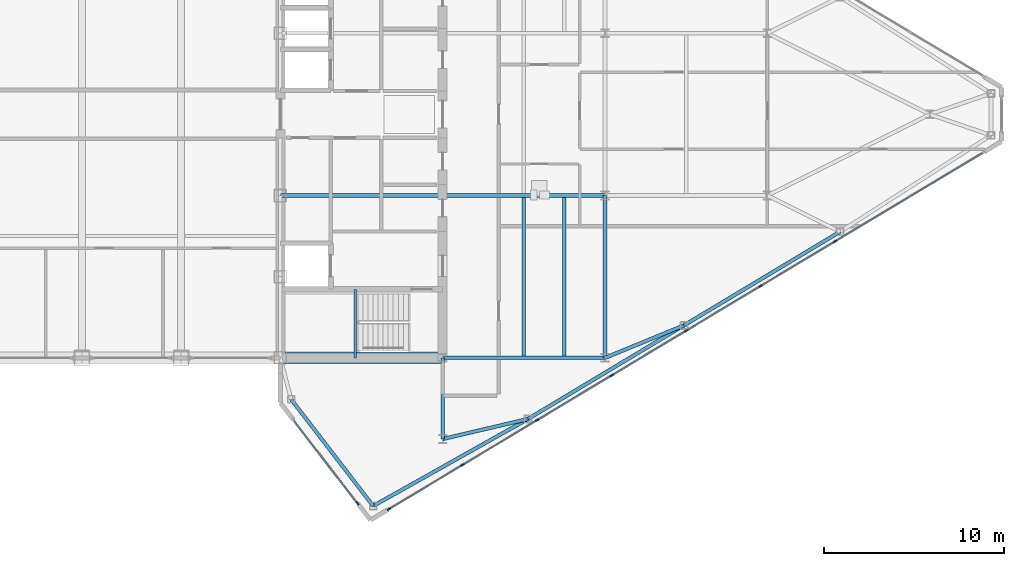
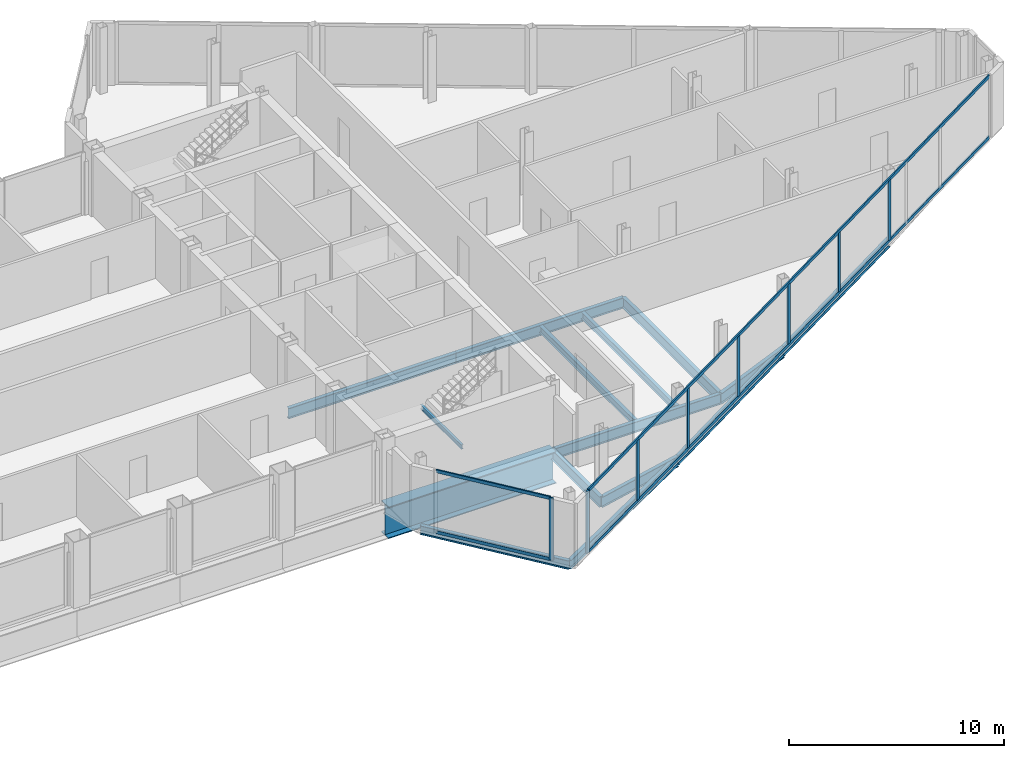
# One storey, part 14 of 29: 15 beams, 12 members, 2 elements without a shape of their own.
"""IFC4 building model written with IfcOpenShell, lengths in metres."""

from ifc_helpers import new_model, si_unit, direction, frame, origin, origin_2d, place, context, subcontext, project, spatial, rectangle, i_section, extrude, source, transform, mapped, material, layer, layer_set, material_profile, profile_set, type_object, type_shapes, element, aggregate, save


model = new_model("IFC4")

# Units and contexts
model_context = context("Model", 3, precision=1e-05, world=origin(), true_north=direction((0.0, 1.0)))
body_context = subcontext(model_context, "Body", "Model", "MODEL_VIEW")
ifc_project = project(units=[si_unit("LENGTHUNIT", "METRE"), si_unit("AREAUNIT", "SQUARE_METRE"), si_unit("VOLUMEUNIT", "CUBIC_METRE"), si_unit("PLANEANGLEUNIT", "RADIAN"), si_unit("MASSUNIT", "GRAM", prefix="KILO")], contexts=[model_context])

# Site, building, storey
site_placement = place(None, origin())
site = spatial("IfcSite", under=ifc_project, at=site_placement, CompositionType="ELEMENT")
building_placement = place(site_placement, origin())
building = spatial("IfcBuilding", under=site, at=building_placement, Name="Seokmaru Belvedere", CompositionType="ELEMENT")
storey_placement = place(building_placement, frame((0.0, 0.0, 239.39990234375)))
storey = spatial("IfcBuildingStorey", under=building, at=storey_placement, Name="L63", CompositionType="ELEMENT", Elevation=239.39990234375)

# Beams
ifc_material_1 = material(Name="Steel SM355 (355 MPa)", Category="steel")
ifc_material_profile_1 = material_profile(ifc_material_1, i_section(OverallWidth=0.199951171875, OverallDepth=0.60009765625, WebThickness=0.010986328125, FlangeThickness=0.01708984375, at=origin_2d()), Name="H-600x200x11x17")
ifc_profile_set_1 = profile_set([ifc_material_profile_1], Name="Steel SM355 (355 MPa)")
beam_type_1 = type_object("IfcBeamType", Name="Primary Floor Girder H-600", PredefinedType="BEAM", material=ifc_profile_set_1)
shared_shape_1 = source(origin(), body_context, "Body", "SweptSolid", [
    extrude(i_section(OverallWidth=0.199951171875, OverallDepth=0.60009765625, WebThickness=0.010986328125, FlangeThickness=0.01708984375, at=origin_2d()), origin(), (0.0, 0.0, 1.0), 9.0),
])
for number, where, z_axis, x_axis, name in (
    (1, (45.5, -13.5, -0.52001953125), (0.0, 1.0, 0.0), (-1.0, 0.0, 0.0), "L63 E Interior Grid Girder 1"),
    (2, (36.5, -13.5, -0.52001953125), (1.0, 0.0, 0.0), (0.0, 1.0, 0.0), "L63 E Wing Primary Girder 1"),
    (3, (27.5, -4.5, -0.52001953125), (1.0, 0.0, 0.0), (0.0, 1.0, 0.0), "L63 E Core Tie Girder 2"),
    (4, (36.5, -4.5, -0.52001953125), (1.0, 0.0, 0.0), (0.0, 1.0, 0.0), "L63 E Wing Primary Girder 2"),
):
    element("IfcBeam", number, at=place(storey_placement, frame(where, z_axis=z_axis, x_axis=x_axis)), inside=storey, type_object=beam_type_1, Name=name, PredefinedType="BEAM", context=body_context, shape_type="MappedRepresentation", body=[
        mapped(shared_shape_1, transform((0.0, 0.0, 0.0), scale=1.0)),
    ])
ifc_material_profile_2 = material_profile(ifc_material_1, i_section(OverallWidth=0.18505859375, OverallDepth=0.389892578125, WebThickness=0.008056640625, FlangeThickness=0.011962890625, at=origin_2d()), Name="H-390x185x8x12")
ifc_profile_set_2 = profile_set([ifc_material_profile_2], Name="Steel SM355 (355 MPa)")
beam_type_2 = type_object("IfcBeamType", Name="Secondary Floor Joist H-350", PredefinedType="JOIST", material=ifc_profile_set_2)
shared_shape_2 = source(origin(), body_context, "Body", "SweptSolid", [
    extrude(i_section(OverallWidth=0.18505859375, OverallDepth=0.389892578125, WebThickness=0.008056640625, FlangeThickness=0.011962890625, at=origin_2d()), origin(), (0.0, 0.0, 1.0), 8.7900390625),
])
type_shapes(beam_type_2, [shared_shape_2])
for number, where, z_axis, x_axis, name in (
    (5, (43.25, -13.39501953125, -0.414794921875), (0.0, 1.0, 0.0), (-1.0, 0.0, 0.0), "L63 E Wing Inner Secondary Joist 1"),
    (6, (41.0, -13.39501953125, -0.414794921875), (0.0, 1.0, 0.0), (-1.0, 0.0, 0.0), "L63 E Secondary Floor Joist 1"),
):
    element("IfcBeam", number, at=place(storey_placement, frame(where, z_axis=z_axis, x_axis=x_axis)), inside=storey, type_object=beam_type_2, Name=name, PredefinedType="JOIST", context=body_context, shape_type="MappedRepresentation", body=[
        mapped(shared_shape_2, transform((0.0, 0.0, 0.0), scale=1.0)),
    ])
shared_shape_3 = source(origin(), body_context, "Body", "SweptSolid", [
    extrude(i_section(OverallWidth=0.199951171875, OverallDepth=0.60009765625, WebThickness=0.010986328125, FlangeThickness=0.01708984375, at=origin_2d()), origin(), (0.0, 0.0, 1.0), 4.5),
])
beam_1_placement = place(storey_placement, frame((36.5, -18.0, -0.52001953125), z_axis=(0.0, 1.0, 0.0), x_axis=(-1.0, 0.0, 0.0)))
element("IfcBeam", 7, at=beam_1_placement, inside=storey, type_object=beam_type_1, Name="L63 E Core Shoulder Girder S", PredefinedType="BEAM", context=body_context, shape_type="MappedRepresentation", body=[
    mapped(shared_shape_3, transform((0.0, 0.0, 0.0), scale=1.0)),
])
ifc_material_profile_3 = material_profile(ifc_material_1, i_section(OverallWidth=0.199951171875, OverallDepth=0.5, WebThickness=0.010009765625, FlangeThickness=0.01611328125, at=origin_2d()), Name="H-500x200x10x16")
ifc_profile_set_3 = profile_set([ifc_material_profile_3], Name="Steel SM355 (355 MPa)")
beam_type_3 = type_object("IfcBeamType", Name="Perimeter Spandrel Beam H-500", PredefinedType="SPANDREL", material=ifc_profile_set_3)
shared_shape_4 = source(origin(), body_context, "Body", "SweptSolid", [
    extrude(i_section(OverallWidth=0.199951171875, OverallDepth=0.5, WebThickness=0.010009765625, FlangeThickness=0.01611328125, at=origin_2d()), origin(), (0.0, 0.0, 1.0), 9.842041015625),
])
beam_2_placement = place(storey_placement, frame((32.649658203125, -21.71044921875, -0.469970703125), z_axis=(0.871782151818, 0.489893743349, 0.0), x_axis=(-0.489893743349, 0.871782151818, 0.0)))
element("IfcBeam", 8, at=beam_2_placement, inside=storey, type_object=beam_type_3, Name="L63 E Faceted Flank Spandrel S-1", PredefinedType="SPANDREL", context=body_context, shape_type="MappedRepresentation", body=[
    mapped(shared_shape_4, transform((0.0, 0.0, 0.0), scale=1.0)),
])
shared_shape_5 = source(origin(), body_context, "Body", "SweptSolid", [
    extrude(i_section(OverallWidth=0.199951171875, OverallDepth=0.5, WebThickness=0.010009765625, FlangeThickness=0.01611328125, at=origin_2d()), origin(), (0.0, 0.0, 1.0), 10.087646484375),
])
for number, where, z_axis, x_axis, name in (
    (9, (41.229736328125, -16.888916015625, -0.469970703125), (0.857499332045, 0.514485078056, 0.0), (-0.514485078056, 0.857499332045, 0.0), "L63 E Faceted Flank Spandrel S-2"),
    (10, (49.8798828125, -11.698974609375, -0.469970703125), (0.857488654804, 0.514502873542, 0.0), (-0.514502873542, 0.857488654804, 0.0), "L63 E Faceted Flank Spandrel S-3"),
):
    element("IfcBeam", number, at=place(storey_placement, frame(where, z_axis=z_axis, x_axis=x_axis)), inside=storey, type_object=beam_type_3, Name=name, PredefinedType="SPANDREL", context=body_context, shape_type="MappedRepresentation", body=[
        mapped(shared_shape_5, transform((0.0, 0.0, 0.0), scale=1.0)),
    ])
shared_shape_6 = source(origin(), body_context, "Body", "SweptSolid", [
    extrude(i_section(OverallWidth=0.199951171875, OverallDepth=0.5, WebThickness=0.010009765625, FlangeThickness=0.01611328125, at=origin_2d()), origin(), (0.0, 0.0, 1.0), 7.4619140625),
])
type_shapes(beam_type_3, [shared_shape_4, shared_shape_5, shared_shape_6])
beam_3_placement = place(storey_placement, frame((32.649658203125, -21.71044921875, -0.469970703125), z_axis=(-0.609702854945, 0.792630070507, 0.0), x_axis=(-0.792630070507, -0.609702854945, 0.0)))
element("IfcBeam", 11, at=beam_3_placement, inside=storey, type_object=beam_type_3, Name="L63 E Shoulder Chamfer Spandrel S", PredefinedType="SPANDREL", context=body_context, shape_type="MappedRepresentation", body=[
    mapped(shared_shape_6, transform((0.0, 0.0, 0.0), scale=1.0)),
])
shared_shape_7 = source(origin(), body_context, "Body", "SweptSolid", [
    extrude(i_section(OverallWidth=0.199951171875, OverallDepth=0.60009765625, WebThickness=0.010986328125, FlangeThickness=0.01708984375, at=origin_2d()), origin(), (0.0, 0.0, 1.0), 4.8583984375),
])
beam_4_placement = place(storey_placement, frame((41.229736328125, -16.888916015625, -0.52001953125), z_axis=(-0.97349948295, -0.228689214211, 0.0), x_axis=(0.228689214211, -0.97349948295, 0.0)))
element("IfcBeam", 12, at=beam_4_placement, inside=storey, type_object=beam_type_1, Name="L63 E Flank Radial Floor Girder S-1", PredefinedType="BEAM", context=body_context, shape_type="MappedRepresentation", body=[
    mapped(shared_shape_7, transform((0.0, 0.0, 0.0), scale=1.0)),
])
shared_shape_8 = source(origin(), body_context, "Body", "SweptSolid", [
    extrude(i_section(OverallWidth=0.199951171875, OverallDepth=0.60009765625, WebThickness=0.010986328125, FlangeThickness=0.01708984375, at=origin_2d()), origin(), (0.0, 0.0, 1.0), 4.73583984375),
])
type_shapes(beam_type_1, [shared_shape_1, shared_shape_3, shared_shape_7, shared_shape_8])
beam_5_placement = place(storey_placement, frame((49.8798828125, -11.698974609375, -0.52001953125), z_axis=(-0.924860562953, -0.380306375301, 0.0), x_axis=(0.380306375301, -0.924860562953, 0.0)))
element("IfcBeam", 13, at=beam_5_placement, inside=storey, type_object=beam_type_1, Name="L63 E Flank Radial Floor Girder S-2", PredefinedType="BEAM", context=body_context, shape_type="MappedRepresentation", body=[
    mapped(shared_shape_8, transform((0.0, 0.0, 0.0), scale=1.0)),
])
ifc_material_2 = material(Name="Steel HSA650 (650 MPa)", Category="steel")
ifc_material_profile_4 = material_profile(ifc_material_2, i_section(OverallWidth=0.64990234375, OverallDepth=1.800048828125, WebThickness=0.031982421875, FlangeThickness=0.054931640625, at=origin_2d()), Name="BH-1800x650x32x55")
ifc_profile_set_4 = profile_set([ifc_material_profile_4], Name="Steel HSA650 (650 MPa)")
beam_type_4 = type_object("IfcBeamType", Name="Sky-Gate Upper Bridge Chord Girder BH-1800", PredefinedType="BEAM", material=ifc_profile_set_4)
shared_shape_9 = source(origin(), body_context, "Body", "SweptSolid", [
    extrude(i_section(OverallWidth=0.64990234375, OverallDepth=1.800048828125, WebThickness=0.031982421875, FlangeThickness=0.054931640625, at=origin_2d()), origin(), (0.0, 0.0, 1.0), 9.0),
])
type_shapes(beam_type_4, [shared_shape_9])
beam_6_placement = place(storey_placement, frame((27.5, -13.5, -1.119873046875), z_axis=(1.0, 0.0, 0.0), x_axis=(0.0, 1.0, 0.0)))
element("IfcBeam", 14, at=beam_6_placement, inside=storey, type_object=beam_type_4, Name="L63 Sky-Gate Transfer Truss Chord S-12", PredefinedType="BEAM", context=body_context, shape_type="MappedRepresentation", body=[
    mapped(shared_shape_9, transform((0.0, 0.0, 0.0), scale=1.0)),
])

# Curtain wall, members
ifc_material_3 = material(Name="Bronze Triple Insulating Glass", Category="glass")
ifc_layer = layer(ifc_material_3, 0.219970703125)
ifc_layer_set = layer_set([ifc_layer], Name="Bronze Triple Insulating Glass")
curtain_wall_type = type_object("IfcCurtainWallType", Name="Sky-Gate Bridge Panorama Curtain Wall System CW-6", PredefinedType="NOTDEFINED", material=ifc_layer_set)
curtain_wall_1_placement = place(storey_placement, origin())
curtain_wall_1 = element("IfcCurtainWall", 15, at=curtain_wall_1_placement, inside=storey, type_object=curtain_wall_type, Name="L63 Curtain Wall EF6", PredefinedType="NOTDEFINED")
ifc_material_4 = material(Name="Anodised Bronze Aluminium", Category="aluminium")
ifc_material_profile_5 = material_profile(ifc_material_4, rectangle(XDim=0.074951171875, YDim=0.179931640625, at=origin_2d()), Name="CW-T-75x180")
ifc_profile_set_5 = profile_set([ifc_material_profile_5], Name="Anodised Bronze Aluminium")
member_type_1 = type_object("IfcMemberType", Name="Bronze Unitised Transom 75x180", PredefinedType="USERDEFINED", material=ifc_profile_set_5)
shared_shape_10 = source(origin(), body_context, "Body", "SweptSolid", [
    extrude(rectangle(XDim=0.074951171875, YDim=0.179931640625, at=origin_2d()), origin(), (0.0, 0.0, 1.0), 5.74072265625),
])
member_1_placement = place(storey_placement, frame((28.25, -16.974853515625, 0.03759765625), z_axis=(0.609686097287, -0.792642960465, 0.0), x_axis=(0.792642960465, 0.609686097287, 0.0)))
member_1 = element("IfcMember", 16, at=member_1_placement, type_object=member_type_1, Name="CW:L63:EF6 Continuous Transom 1", ObjectType="TRANSOM", PredefinedType="USERDEFINED", context=body_context, shape_type="MappedRepresentation", body=[
    mapped(shared_shape_10, transform((0.0, 0.0, 0.0), scale=1.0)),
])
member_2_placement = place(storey_placement, frame((28.25, -16.974853515625, 3.49267578125), z_axis=(0.609686097287, -0.792642960465, 0.0), x_axis=(0.792642960465, 0.609686097287, 0.0)))
member_2 = element("IfcMember", 17, at=member_2_placement, type_object=member_type_1, Name="CW:L63:EF6 Continuous Transom 2", ObjectType="TRANSOM", PredefinedType="USERDEFINED", context=body_context, shape_type="MappedRepresentation", body=[
    mapped(shared_shape_10, transform((0.0, 0.0, 0.0), scale=1.0)),
])

curtain_wall_2_placement = place(storey_placement, origin())
curtain_wall_2 = element("IfcCurtainWall", 18, at=curtain_wall_2_placement, inside=storey, type_object=curtain_wall_type, Name="L63 Curtain Wall EF1", PredefinedType="NOTDEFINED")
shared_shape_11 = source(origin(), body_context, "Body", "SweptSolid", [
    extrude(rectangle(XDim=0.074951171875, YDim=0.179931640625, at=origin_2d()), origin(), (0.0, 0.0, 1.0), 38.356689453125),
])
type_shapes(member_type_1, [shared_shape_10, shared_shape_11])
member_3_placement = place(storey_placement, frame((33.5546875, -21.8671875, 0.03759765625), z_axis=(0.857492925713, 0.514495755428, 0.0), x_axis=(-0.514495755428, 0.857492925713, 0.0)))
member_3 = element("IfcMember", 19, at=member_3_placement, type_object=member_type_1, Name="CW:L63:EF1 Continuous Transom 1", ObjectType="TRANSOM", PredefinedType="USERDEFINED", context=body_context, shape_type="MappedRepresentation", body=[
    mapped(shared_shape_11, transform((0.0, 0.0, 0.0), scale=1.0)),
])
member_4_placement = place(storey_placement, frame((33.5546875, -21.8671875, 3.49267578125), z_axis=(0.857492925713, 0.514495755428, 0.0), x_axis=(-0.514495755428, 0.857492925713, 0.0)))
member_4 = element("IfcMember", 20, at=member_4_placement, type_object=member_type_1, Name="CW:L63:EF1 Continuous Transom 2", ObjectType="TRANSOM", PredefinedType="USERDEFINED", context=body_context, shape_type="MappedRepresentation", body=[
    mapped(shared_shape_11, transform((0.0, 0.0, 0.0), scale=1.0)),
])
ifc_material_profile_6 = material_profile(ifc_material_4, rectangle(XDim=0.080078125, YDim=0.219970703125, at=origin_2d()), Name="CW-M-80x220")
ifc_profile_set_6 = profile_set([ifc_material_profile_6], Name="Anodised Bronze Aluminium")
member_type_2 = type_object("IfcMemberType", Name="Bronze Unitised Mullion 80x220", PredefinedType="MULLION", material=ifc_profile_set_6)
shared_shape_12 = source(origin(), body_context, "Body", "SweptSolid", [
    extrude(rectangle(XDim=0.080078125, YDim=0.219970703125, at=origin_2d()), origin(), (0.0, 0.0, 1.0), 3.530029296875),
])
member_5_placement = place(storey_placement, frame((33.5205078125, -21.8876953125, 0.0), z_axis=(0.0, 0.0, 1.0), x_axis=(-0.514494909364, 0.85749343335, 0.0)))
member_5 = element("IfcMember", 21, at=member_5_placement, type_object=member_type_2, Name="CW:L63:EF1 Mullion 1", PredefinedType="MULLION", context=body_context, shape_type="MappedRepresentation", body=[
    mapped(shared_shape_12, transform((0.0, 0.0, 0.0), scale=1.0)),
])

# Member
member_6_placement = place(storey_placement, frame((31.7744140625, -21.556884765625, 0.0), z_axis=(0.0, 0.0, 1.0), x_axis=(0.792631353244, 0.609701187349, 0.0)))
member_6 = element("IfcMember", 22, at=member_6_placement, type_object=member_type_2, Name="CW:L63:EF6 Mullion 2", PredefinedType="MULLION", context=body_context, shape_type="MappedRepresentation", body=[
    mapped(shared_shape_12, transform((0.0, 0.0, 0.0), scale=1.0)),
])

aggregate(curtain_wall_1, [member_6, member_1, member_2])

shared_shape_13 = source(origin(), body_context, "Body", "SweptSolid", [
    extrude(rectangle(XDim=0.080078125, YDim=0.219970703125, at=origin_2d()), origin(), (0.0, 0.0, 1.0), 3.3798828125),
])
type_shapes(member_type_2, [shared_shape_12, shared_shape_13])
member_7_placement = place(storey_placement, frame((37.614501953125, -19.43115234375, 0.0751953125), z_axis=(0.0, 0.0, 1.0), x_axis=(-0.514494909364, 0.85749343335, 0.0)))
member_7 = element("IfcMember", 23, at=member_7_placement, type_object=member_type_2, Name="CW:L63:EF1 Mullion 2", PredefinedType="MULLION", context=body_context, shape_type="MappedRepresentation", body=[
    mapped(shared_shape_13, transform((0.0, 0.0, 0.0), scale=1.0)),
])

member_8_placement = place(storey_placement, frame((41.7431640625, -16.9541015625, 0.0751953125), z_axis=(0.0, 0.0, 1.0), x_axis=(-0.514494909364, 0.85749343335, 0.0)))
member_8 = element("IfcMember", 24, at=member_8_placement, type_object=member_type_2, Name="CW:L63:EF1 Mullion 3", PredefinedType="MULLION", context=body_context, shape_type="MappedRepresentation", body=[
    mapped(shared_shape_13, transform((0.0, 0.0, 0.0), scale=1.0)),
])

member_9_placement = place(storey_placement, frame((45.87158203125, -14.47705078125, 0.0751953125), z_axis=(0.0, 0.0, 1.0), x_axis=(-0.514494909364, 0.85749343335, 0.0)))
member_9 = element("IfcMember", 25, at=member_9_placement, type_object=member_type_2, Name="CW:L63:EF1 Mullion 4", PredefinedType="MULLION", context=body_context, shape_type="MappedRepresentation", body=[
    mapped(shared_shape_13, transform((0.0, 0.0, 0.0), scale=1.0)),
])

member_10_placement = place(storey_placement, frame((50.0, -12.0, 0.0751953125), z_axis=(0.0, 0.0, 1.0), x_axis=(-0.514494909364, 0.85749343335, 0.0)))
member_10 = element("IfcMember", 26, at=member_10_placement, type_object=member_type_2, Name="CW:L63:EF1 Mullion 5", PredefinedType="MULLION", context=body_context, shape_type="MappedRepresentation", body=[
    mapped(shared_shape_13, transform((0.0, 0.0, 0.0), scale=1.0)),
])

member_11_placement = place(storey_placement, frame((54.12841796875, -9.52294921875, 0.0751953125), z_axis=(0.0, 0.0, 1.0), x_axis=(-0.514494909364, 0.85749343335, 0.0)))
member_11 = element("IfcMember", 27, at=member_11_placement, type_object=member_type_2, Name="CW:L63:EF1 Mullion 6", PredefinedType="MULLION", context=body_context, shape_type="MappedRepresentation", body=[
    mapped(shared_shape_13, transform((0.0, 0.0, 0.0), scale=1.0)),
])

member_12_placement = place(storey_placement, frame((58.257080078125, -7.0458984375, 0.0751953125), z_axis=(0.0, 0.0, 1.0), x_axis=(-0.514494909364, 0.85749343335, 0.0)))
member_12 = element("IfcMember", 28, at=member_12_placement, type_object=member_type_2, Name="CW:L63:EF1 Mullion 7", PredefinedType="MULLION", context=body_context, shape_type="MappedRepresentation", body=[
    mapped(shared_shape_13, transform((0.0, 0.0, 0.0), scale=1.0)),
])

aggregate(curtain_wall_2, [member_5, member_7, member_8, member_9, member_10, member_11, member_12, member_3, member_4])

# Beam
ifc_material_profile_7 = material_profile(ifc_material_1, i_section(OverallWidth=0.125, OverallDepth=0.25, WebThickness=0.006103515625, FlangeThickness=0.009033203125, at=origin_2d()), Name="H-250x125x6x9")
ifc_profile_set_7 = profile_set([ifc_material_profile_7], Name="Steel SM355 (355 MPa)")
beam_type_5 = type_object("IfcBeamType", Name="Stair Mid-Landing Support Beam H-250", PredefinedType="JOIST", material=ifc_profile_set_7)
shared_shape_14 = source(origin(), body_context, "Body", "SweptSolid", [
    extrude(i_section(OverallWidth=0.125, OverallDepth=0.25, WebThickness=0.006103515625, FlangeThickness=0.009033203125, at=origin_2d()), origin(), (0.0, 0.0, 1.0), 3.800048828125),
])
type_shapes(beam_type_5, [shared_shape_14])
beam_7_placement = place(storey_placement, frame((31.64990234375, -13.5, 1.550048828125), z_axis=(0.0, 1.0, 0.0), x_axis=(-1.0, 0.0, 0.0)))
element("IfcBeam", 29, at=beam_7_placement, inside=storey, type_object=beam_type_5, Name="L63 Stair ST-E1 Mid-Landing Support Beam 1", PredefinedType="JOIST", context=body_context, shape_type="MappedRepresentation", body=[
    mapped(shared_shape_14, transform((0.0, 0.0, 0.0), scale=1.0)),
])

save(model, "model.ifc")
